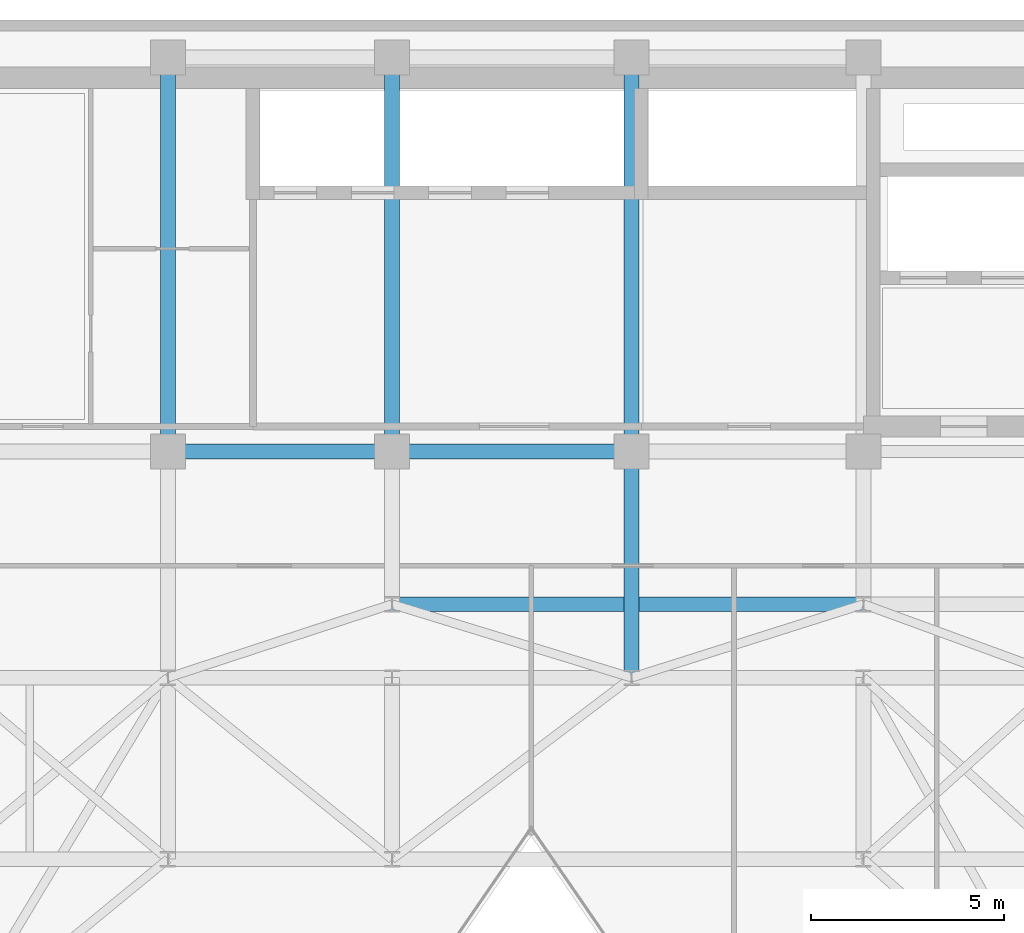
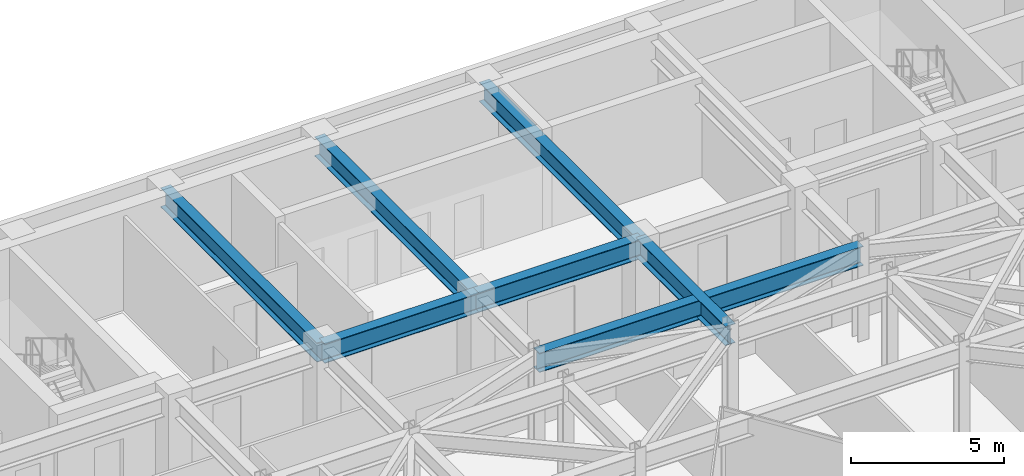
# One storey, part 9 of 21: 7 beams.
"""IFC4 building model written with IfcOpenShell, lengths in metres."""

from ifc_helpers import new_model, si_unit, direction, frame, origin, origin_2d, place, context, subcontext, project, spatial, i_section, extrude, material, material_profile, profile_set, type_object, element, save


model = new_model("IFC4")

# Units and contexts
model_context = context("Model", 3, precision=1e-05, world=origin(), true_north=direction((0.0, 1.0)))
body_context = subcontext(model_context, "Body", "Model", "MODEL_VIEW")
ifc_project = project(units=[si_unit("LENGTHUNIT", "METRE"), si_unit("AREAUNIT", "SQUARE_METRE"), si_unit("VOLUMEUNIT", "CUBIC_METRE"), si_unit("PLANEANGLEUNIT", "RADIAN"), si_unit("MASSUNIT", "GRAM", prefix="KILO")], contexts=[model_context])

# Site, building, storey
site_placement = place(None, origin())
site = spatial("IfcSite", under=ifc_project, at=site_placement, CompositionType="ELEMENT")
building_placement = place(site_placement, origin())
building = spatial("IfcBuilding", under=site, at=building_placement, Name="Kravanh Interchange Tower", CompositionType="ELEMENT")
storey_placement = place(building_placement, frame((0.0, 0.0, 200.5)))
storey = spatial("IfcBuildingStorey", under=building, at=storey_placement, Name="L48", CompositionType="ELEMENT", Elevation=200.5)

# Beams
ifc_material = material(Name="Structural Steel S355", Category="steel")
ifc_material_profile = material_profile(ifc_material, i_section(OverallWidth=0.381103515625, OverallDepth=0.77294921875, WebThickness=0.0166015625, FlangeThickness=0.027099609375, FilletRadius=0.02490234375, at=origin_2d()), Name="W30X173")
ifc_profile_set = profile_set([ifc_material_profile], Name="Structural Steel S355")
beam_type = type_object("IfcBeamType", Name="Floor Beam W30X173 Structural Steel S355", PredefinedType="BEAM", material=ifc_profile_set)
beam_1_placement = place(storey_placement, frame((44.800048828125, 37.35009765625, 3.368408203125), z_axis=(0.0, -1.0, 0.0), x_axis=(1.0, 0.0, 0.0)))
element("IfcBeam", 1, at=beam_1_placement, inside=storey, type_object=beam_type, Name="L48 Primary Floor Girder 12", PredefinedType="BEAM", context=body_context, shape_type="SweptSolid", body=[
    extrude(i_section(OverallWidth=0.381103515625, OverallDepth=0.77294921875, WebThickness=0.0166015625, FlangeThickness=0.027099609375, FilletRadius=0.02490234375, at=origin_2d()), origin(), (0.0, 0.0, 1.0), 5.85009765625),
])
beam_2_placement = place(storey_placement, frame((44.800048828125, 37.35009765625, 3.368408203125), z_axis=(-1.0, 0.0, 0.0), x_axis=(0.0, -1.0, 0.0)))
element("IfcBeam", 2, at=beam_2_placement, inside=storey, type_object=beam_type, Name="L48 Primary Floor Girder 13", PredefinedType="BEAM", context=body_context, shape_type="SweptSolid", body=[
    extrude(i_section(OverallWidth=0.381103515625, OverallDepth=0.77294921875, WebThickness=0.0166015625, FlangeThickness=0.027099609375, FilletRadius=0.02490234375, at=origin_2d()), origin(), (0.0, 0.0, 1.0), 6.199951171875),
])
beam_3_placement = place(storey_placement, frame((44.800048828125, 37.35009765625, 3.368408203125), z_axis=(0.0, 1.0, 0.0), x_axis=(-1.0, 0.0, 0.0)))
element("IfcBeam", 3, at=beam_3_placement, inside=storey, type_object=beam_type, Name="L48 Primary Floor Girder 14", PredefinedType="BEAM", context=body_context, shape_type="SweptSolid", body=[
    extrude(i_section(OverallWidth=0.381103515625, OverallDepth=0.77294921875, WebThickness=0.0166015625, FlangeThickness=0.027099609375, FilletRadius=0.02490234375, at=origin_2d()), origin(), (0.0, 0.0, 1.0), 10.199951171875),
])
beam_4_placement = place(storey_placement, frame((38.60009765625, 37.35009765625, 3.368408203125), z_axis=(-1.0, 0.0, 0.0), x_axis=(0.0, -1.0, 0.0)))
element("IfcBeam", 4, at=beam_4_placement, inside=storey, type_object=beam_type, Name="L48 Primary Floor Girder 17", PredefinedType="BEAM", context=body_context, shape_type="SweptSolid", body=[
    extrude(i_section(OverallWidth=0.381103515625, OverallDepth=0.77294921875, WebThickness=0.0166015625, FlangeThickness=0.027099609375, FilletRadius=0.02490234375, at=origin_2d()), origin(), (0.0, 0.0, 1.0), 5.800048828125),
])
for number, where, z_axis, x_axis, name in (
    (5, (38.60009765625, 37.35009765625, 3.368408203125), (0.0, 1.0, 0.0), (-1.0, 0.0, 0.0), "L48 Primary Floor Girder 18"),
    (6, (32.800048828125, 37.35009765625, 3.368408203125), (0.0, 1.0, 0.0), (-1.0, 0.0, 0.0), "L48 Primary Floor Girder 22"),
):
    element("IfcBeam", number, at=place(storey_placement, frame(where, z_axis=z_axis, x_axis=x_axis)), inside=storey, type_object=beam_type, Name=name, PredefinedType="BEAM", context=body_context, shape_type="SweptSolid", body=[
        extrude(i_section(OverallWidth=0.381103515625, OverallDepth=0.77294921875, WebThickness=0.0166015625, FlangeThickness=0.027099609375, FilletRadius=0.02490234375, at=origin_2d()), origin(), (0.0, 0.0, 1.0), 10.199951171875),
    ])
beam_5_placement = place(storey_placement, frame((38.60009765625, 33.39990234375, 3.368408203125), z_axis=(1.0, 0.0, 0.0), x_axis=(0.0, 1.0, 0.0)))
element("IfcBeam", 7, at=beam_5_placement, inside=storey, type_object=beam_type, Name="L48 Primary Floor Girder 94", PredefinedType="BEAM", context=body_context, shape_type="SweptSolid", body=[
    extrude(i_section(OverallWidth=0.381103515625, OverallDepth=0.77294921875, WebThickness=0.0166015625, FlangeThickness=0.027099609375, FilletRadius=0.02490234375, at=origin_2d()), origin(), (0.0, 0.0, 1.0), 12.199951171875),
])

save(model, "model.ifc")
